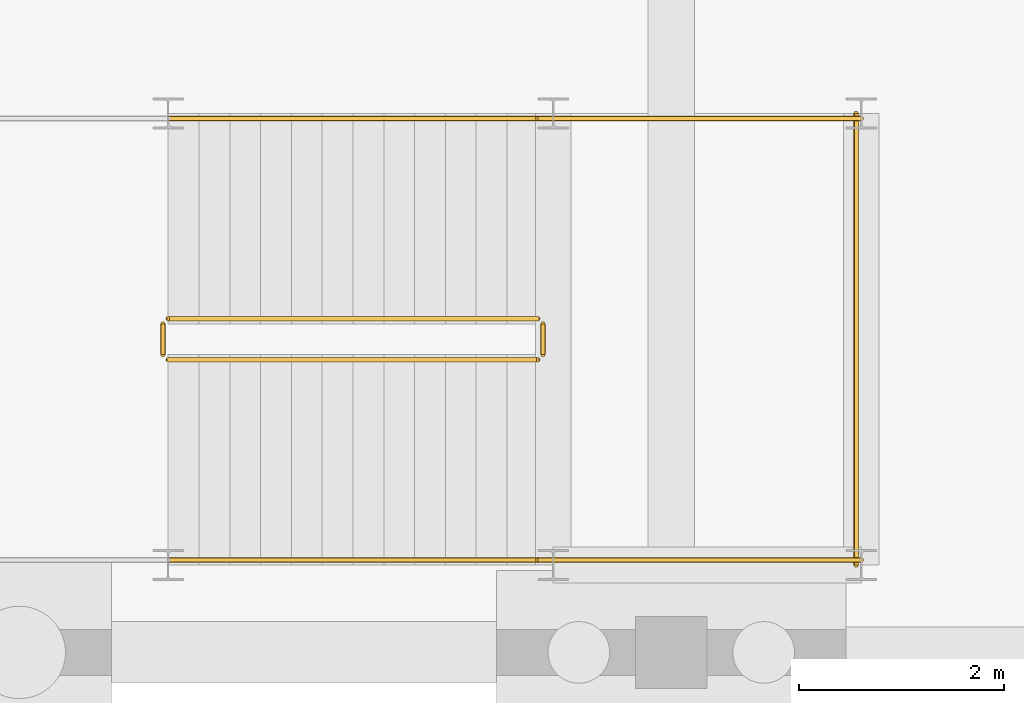
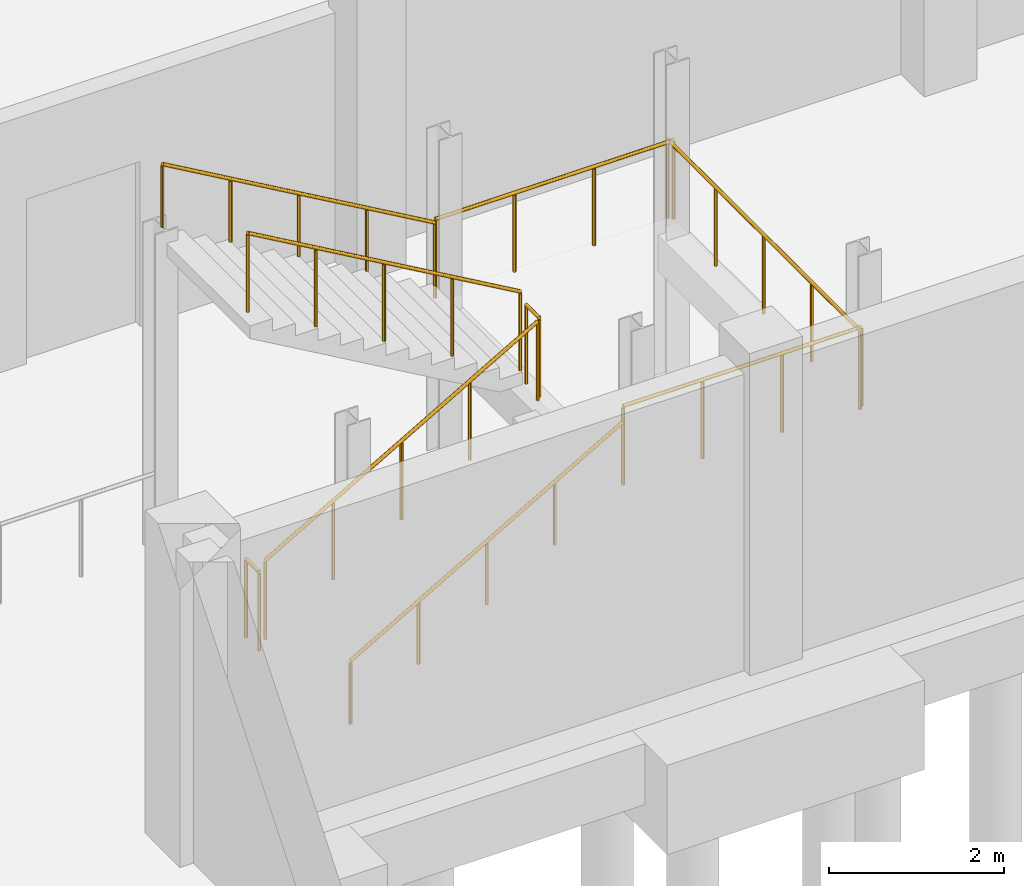
# One storey, part 36 of 42: 9 railings.
"""IFC4 building model written with IfcOpenShell, lengths in metres."""

from ifc_helpers import new_model, si_unit, direction, frame, origin, origin_2d, place, context, subcontext, project, spatial, circle, extrude, material, type_object, element, save


model = new_model("IFC4")

# Units and contexts
model_context = context("Model", 3, precision=1e-05, world=origin(), true_north=direction((0.0, 1.0)))
body_context = subcontext(model_context, "Body", "Model", "MODEL_VIEW")
ifc_project = project(units=[si_unit("LENGTHUNIT", "METRE"), si_unit("AREAUNIT", "SQUARE_METRE"), si_unit("VOLUMEUNIT", "CUBIC_METRE"), si_unit("PLANEANGLEUNIT", "RADIAN"), si_unit("MASSUNIT", "GRAM", prefix="KILO")], contexts=[model_context])

# Site, building, storey
site_placement = place(None, origin())
site = spatial("IfcSite", under=ifc_project, at=site_placement, CompositionType="ELEMENT")
building_placement = place(site_placement, origin())
building = spatial("IfcBuilding", under=site, at=building_placement, Name="Dalvernix Boulevard General Hospital", CompositionType="ELEMENT")
storey_placement = place(building_placement, frame((0.0, 0.0, -4.5)))
storey = spatial("IfcBuildingStorey", under=building, at=storey_placement, Name="B1", CompositionType="ELEMENT", Elevation=-4.5)

# Railings
ifc_material_1 = material(Name="Brushed stainless steel balustrade", Category="steel")
railing_type_1 = type_object("IfcRailingType", Name="RL-GR-INT1", PredefinedType="BALUSTRADE", material=ifc_material_1)
railing_1_placement = place(storey_placement, frame((62.60009765625, 25.35009765625, 0.173095703125)))
element("IfcRailing", 1, at=railing_1_placement, inside=storey, type_object=railing_type_1, Name="B1 ST-07 stair guard 1", PredefinedType="BALUSTRADE", context=body_context, shape_type="SweptSolid", body=[
    extrude(circle(Radius=0.02392578125, at=origin_2d()), frame((0.0, 0.0, 1.09619140625), z_axis=(0.866178740119, 0.0, 0.499734319579), x_axis=(0.0, 1.0, 0.0)), (0.0, 0.0, 1.0), 4.156005859375),
    extrude(circle(Radius=0.02099609375, at=origin_2d()), origin(), (0.0, 0.0, 1.0), 1.072021484375),
    extrude(circle(Radius=0.02099609375, at=origin_2d()), frame((0.89990234375, 0.0, 0.519287109375)), (0.0, 0.0, 1.0), 1.072021484375),
    extrude(circle(Radius=0.02099609375, at=origin_2d()), frame((1.7998046875, 0.0, 1.03857421875)), (0.0, 0.0, 1.0), 1.072021484375),
    extrude(circle(Radius=0.02099609375, at=origin_2d()), frame((2.699951171875, 0.0, 1.5576171875)), (0.0, 0.0, 1.0), 1.072021484375),
    extrude(circle(Radius=0.02099609375, at=origin_2d()), frame((3.599853515625, 0.0, 2.076904296875)), (0.0, 0.0, 1.0), 1.072021484375),
])
railing_2_placement = place(storey_placement, frame((66.25, 25.39990234375, 2.25)))
element("IfcRailing", 2, at=railing_2_placement, inside=storey, type_object=railing_type_1, Name="B1 ST-07 stair guard 2", PredefinedType="BALUSTRADE", context=body_context, shape_type="SweptSolid", body=[
    extrude(circle(Radius=0.02392578125, at=origin_2d()), frame((0.0, 0.0, 1.09619140625), z_axis=(0.0, 1.0, 0.0), x_axis=(-1.0, 0.0, 0.0)), (0.0, 0.0, 1.0), 0.300048828125),
    extrude(circle(Radius=0.02099609375, at=origin_2d()), origin(), (0.0, 0.0, 1.0), 1.072021484375),
    extrude(circle(Radius=0.02099609375, at=origin_2d()), frame((0.0, 0.300048828125, 0.0)), (0.0, 0.0, 1.0), 1.072021484375),
])
for number, where, name in (
    (3, (66.199951171875, 23.39990234375, 2.25), "B1 ST-07 stair guard 3"),
    (4, (66.199951171875, 27.699951171875, 2.25), "B1 ST-07 stair guard 4"),
):
    element("IfcRailing", number, at=place(storey_placement, frame(where)), inside=storey, type_object=railing_type_1, Name=name, PredefinedType="BALUSTRADE", context=body_context, shape_type="SweptSolid", body=[
        extrude(circle(Radius=0.02392578125, at=origin_2d()), frame((0.0, 0.0, 1.09619140625), z_axis=(1.0, 0.0, 0.0), x_axis=(0.0, 1.0, 0.0)), (0.0, 0.0, 1.0), 3.150146484375),
        extrude(circle(Radius=0.02099609375, at=origin_2d()), origin(), (0.0, 0.0, 1.0), 1.072021484375),
        extrude(circle(Radius=0.02099609375, at=origin_2d()), frame((1.050048828125, 0.0, 0.0)), (0.0, 0.0, 1.0), 1.072021484375),
        extrude(circle(Radius=0.02099609375, at=origin_2d()), frame((2.10009765625, 0.0, 0.0)), (0.0, 0.0, 1.0), 1.072021484375),
        extrude(circle(Radius=0.02099609375, at=origin_2d()), frame((3.150146484375, 0.0, 0.0)), (0.0, 0.0, 1.0), 1.072021484375),
    ])
railing_3_placement = place(storey_placement, frame((69.300048828125, 23.35009765625, 2.25)))
element("IfcRailing", 5, at=railing_3_placement, inside=storey, type_object=railing_type_1, Name="B1 ST-07 stair guard 5", PredefinedType="BALUSTRADE", context=body_context, shape_type="SweptSolid", body=[
    extrude(circle(Radius=0.02392578125, at=origin_2d()), frame((0.0, 0.0, 1.09619140625), z_axis=(0.0, 1.0, 0.0), x_axis=(-1.0, 0.0, 0.0)), (0.0, 0.0, 1.0), 4.39990234375),
    extrude(circle(Radius=0.02099609375, at=origin_2d()), origin(), (0.0, 0.0, 1.0), 1.072021484375),
    extrude(circle(Radius=0.02099609375, at=origin_2d()), frame((0.0, 1.10009765625, 0.0)), (0.0, 0.0, 1.0), 1.072021484375),
    extrude(circle(Radius=0.02099609375, at=origin_2d()), frame((0.0, 2.199951171875, 0.0)), (0.0, 0.0, 1.0), 1.072021484375),
    extrude(circle(Radius=0.02099609375, at=origin_2d()), frame((0.0, 3.2998046875, 0.0)), (0.0, 0.0, 1.0), 1.072021484375),
    extrude(circle(Radius=0.02099609375, at=origin_2d()), frame((0.0, 4.39990234375, 0.0)), (0.0, 0.0, 1.0), 1.072021484375),
])
railing_4_placement = place(storey_placement, frame((66.199951171875, 25.75, 2.423095703125)))
element("IfcRailing", 6, at=railing_4_placement, inside=storey, type_object=railing_type_1, Name="B1 ST-07 stair guard 6", PredefinedType="BALUSTRADE", context=body_context, shape_type="SweptSolid", body=[
    extrude(circle(Radius=0.02392578125, at=origin_2d()), frame((0.0, 0.0, 1.09619140625), z_axis=(-0.866178740119, 0.0, 0.499734319579), x_axis=(0.0, -1.0, 0.0)), (0.0, 0.0, 1.0), 4.156005859375),
    extrude(circle(Radius=0.02099609375, at=origin_2d()), origin(), (0.0, 0.0, 1.0), 1.072021484375),
    extrude(circle(Radius=0.02099609375, at=origin_2d()), frame((-0.89990234375, 0.0, 0.519287109375)), (0.0, 0.0, 1.0), 1.072021484375),
    extrude(circle(Radius=0.02099609375, at=origin_2d()), frame((-1.7998046875, 0.0, 1.03857421875)), (0.0, 0.0, 1.0), 1.072021484375),
    extrude(circle(Radius=0.02099609375, at=origin_2d()), frame((-2.699951171875, 0.0, 1.5576171875)), (0.0, 0.0, 1.0), 1.072021484375),
    extrude(circle(Radius=0.02099609375, at=origin_2d()), frame((-3.599853515625, 0.0, 2.076904296875)), (0.0, 0.0, 1.0), 1.072021484375),
])
railing_5_placement = place(storey_placement, frame((62.550048828125, 25.39990234375, 0.0)))
element("IfcRailing", 7, at=railing_5_placement, inside=storey, type_object=railing_type_1, Name="B1 ST-07 stair guard 7", PredefinedType="BALUSTRADE", context=body_context, shape_type="SweptSolid", body=[
    extrude(circle(Radius=0.02392578125, at=origin_2d()), frame((0.0, 0.0, 1.09619140625), z_axis=(0.0, 1.0, 0.0), x_axis=(-1.0, 0.0, 0.0)), (0.0, 0.0, 1.0), 0.300048828125),
    extrude(circle(Radius=0.02099609375, at=origin_2d()), origin(), (0.0, 0.0, 1.0), 1.072021484375),
    extrude(circle(Radius=0.02099609375, at=origin_2d()), frame((0.0, 0.300048828125, 0.0)), (0.0, 0.0, 1.0), 1.072021484375),
])
ifc_material_2 = material(Name="Brushed stainless steel wall handrail", Category="steel")
railing_type_2 = type_object("IfcRailingType", Name="RL-HR-INT1", PredefinedType="HANDRAIL", material=ifc_material_2)
railing_6_placement = place(storey_placement, frame((62.60009765625, 23.39990234375, 0.173095703125)))
element("IfcRailing", 8, at=railing_6_placement, inside=storey, type_object=railing_type_2, Name="B1 ST-07 stair handrail 1", PredefinedType="HANDRAIL", context=body_context, shape_type="SweptSolid", body=[
    extrude(circle(Radius=0.02392578125, at=origin_2d()), frame((0.0, 0.0, 0.8759765625), z_axis=(0.866178740119, 0.0, 0.499734319579), x_axis=(0.0, 1.0, 0.0)), (0.0, 0.0, 1.0), 4.156005859375),
    extrude(circle(Radius=0.02099609375, at=origin_2d()), origin(), (0.0, 0.0, 1.0), 0.851806640625),
    extrude(circle(Radius=0.02099609375, at=origin_2d()), frame((0.89990234375, 0.0, 0.519287109375)), (0.0, 0.0, 1.0), 0.851806640625),
    extrude(circle(Radius=0.02099609375, at=origin_2d()), frame((1.7998046875, 0.0, 1.03857421875)), (0.0, 0.0, 1.0), 0.851806640625),
    extrude(circle(Radius=0.02099609375, at=origin_2d()), frame((2.699951171875, 0.0, 1.5576171875)), (0.0, 0.0, 1.0), 0.851806640625),
    extrude(circle(Radius=0.02099609375, at=origin_2d()), frame((3.599853515625, 0.0, 2.076904296875)), (0.0, 0.0, 1.0), 0.851806640625),
])
railing_7_placement = place(storey_placement, frame((66.199951171875, 27.699951171875, 2.423095703125)))
element("IfcRailing", 9, at=railing_7_placement, inside=storey, type_object=railing_type_2, Name="B1 ST-07 stair handrail 2", PredefinedType="HANDRAIL", context=body_context, shape_type="SweptSolid", body=[
    extrude(circle(Radius=0.02392578125, at=origin_2d()), frame((0.0, 0.0, 0.8759765625), z_axis=(-0.866178740119, 0.0, 0.499734319579), x_axis=(0.0, -1.0, 0.0)), (0.0, 0.0, 1.0), 4.156005859375),
    extrude(circle(Radius=0.02099609375, at=origin_2d()), origin(), (0.0, 0.0, 1.0), 0.851806640625),
    extrude(circle(Radius=0.02099609375, at=origin_2d()), frame((-0.89990234375, 0.0, 0.519287109375)), (0.0, 0.0, 1.0), 0.851806640625),
    extrude(circle(Radius=0.02099609375, at=origin_2d()), frame((-1.7998046875, 0.0, 1.03857421875)), (0.0, 0.0, 1.0), 0.851806640625),
    extrude(circle(Radius=0.02099609375, at=origin_2d()), frame((-2.699951171875, 0.0, 1.5576171875)), (0.0, 0.0, 1.0), 0.851806640625),
    extrude(circle(Radius=0.02099609375, at=origin_2d()), frame((-3.599853515625, 0.0, 2.076904296875)), (0.0, 0.0, 1.0), 0.851806640625),
])

save(model, "model.ifc")
